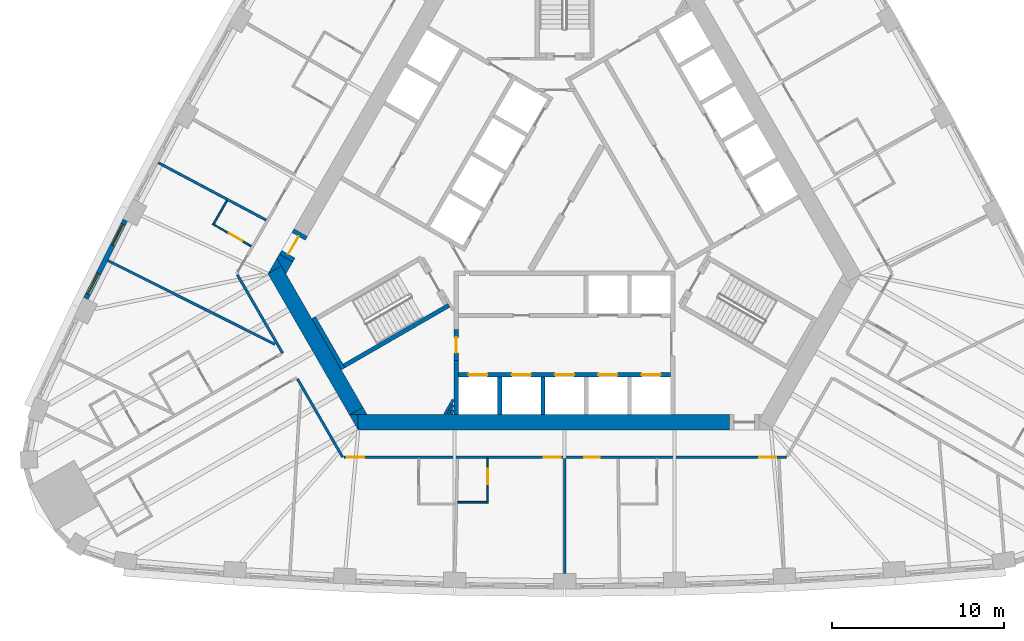
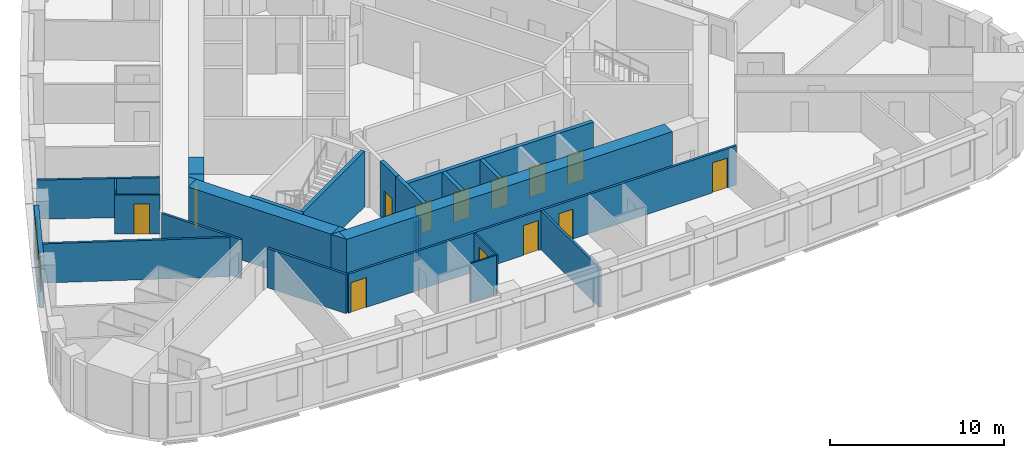
# One storey, part 4 of 12: 28 walls, 13 doors, 2 windows, 15 openings.
"""IFC4 building model written with IfcOpenShell, lengths in metres."""

from ifc_helpers import new_model, si_unit, direction, frame, frame_2d, origin, place, context, subcontext, project, spatial, polyline, rectangle, outline, extrude, material, layer, layer_set, type_object, element, fill, save


model = new_model("IFC4")

# Units and contexts
model_context = context("Model", 3, precision=1e-05, world=origin(), true_north=direction((0.0, 1.0)))
body_context = subcontext(model_context, "Body", "Model", "MODEL_VIEW")
ifc_project = project(units=[si_unit("LENGTHUNIT", "METRE"), si_unit("AREAUNIT", "SQUARE_METRE"), si_unit("VOLUMEUNIT", "CUBIC_METRE"), si_unit("PLANEANGLEUNIT", "RADIAN"), si_unit("MASSUNIT", "GRAM", prefix="KILO")], contexts=[model_context])

# Site, building, storey
site_placement = place(None, origin())
site = spatial("IfcSite", under=ifc_project, at=site_placement, CompositionType="ELEMENT")
building_placement = place(site_placement, origin())
building = spatial("IfcBuilding", under=site, at=building_placement, Name="Mestral Congress Tower", CompositionType="ELEMENT")
storey_placement = place(building_placement, frame((0.0, 0.0, 111.0)))
storey = spatial("IfcBuildingStorey", under=building, at=storey_placement, Name="L26", CompositionType="ELEMENT", Elevation=111.0)

# Walls
ifc_material_1 = material(Name="Fire-rated board partition")
ifc_layer_1 = layer(ifc_material_1, 0.14990234375)
ifc_layer_set_1 = layer_set([ifc_layer_1], Name="Fire-rated board partition")
wall_type_1 = type_object("IfcWallType", Name="Core partition 150", PredefinedType="PARTITIONING", material=ifc_layer_set_1)
wall_1_placement = place(storey_placement, frame((-6.967529296875, -12.068115234375, 0.0), z_axis=(0.0, 0.0, 1.0), x_axis=(0.49998975084, 0.866031321059, 0.0)))
element("IfcWall", 1, at=wall_1_placement, inside=storey, type_object=wall_type_1, Name="L26 core wall", PredefinedType="PARTITIONING", context=body_context, shape_type="SweptSolid", body=[
    extrude(rectangle(XDim=0.97509765625, YDim=0.14990234375, at=frame_2d((0.487548828125, 0.0))), origin(), (0.0, 0.0, 1.0), 2.75),
])
wall_2_placement = place(storey_placement, frame((-6.794189453125, -12.068115234375, 0.0), z_axis=(0.0, 0.0, 1.0), x_axis=(0.49985693963, 0.866107983974, 0.0)))
element("IfcWall", 2, at=wall_2_placement, inside=storey, type_object=wall_type_1, Name="L26 core wall", PredefinedType="PARTITIONING", context=body_context, shape_type="SweptSolid", body=[
    extrude(rectangle(XDim=0.628662109375, YDim=0.14990234375, at=frame_2d((0.314453125, 0.0))), origin(), (0.0, 0.0, 1.0), 2.75),
])
wall_3_placement = place(storey_placement, frame((-6.62109375, -12.068115234375, 0.0), z_axis=(0.0, 0.0, 1.0), x_axis=(0.500046963369, 0.865998287773, 0.0)))
element("IfcWall", 3, at=wall_3_placement, inside=storey, type_object=wall_type_1, Name="L26 core wall", PredefinedType="PARTITIONING", context=body_context, shape_type="SweptSolid", body=[
    extrude(rectangle(XDim=0.2822265625, YDim=0.14990234375, at=frame_2d((0.14111328125, 0.0))), origin(), (0.0, 0.0, 1.0), 2.75),
])
ifc_material_2 = material(Name="Concrete C60/75", Category="concrete")
ifc_layer_2 = layer(ifc_material_2, 0.89990234375)
ifc_layer_set_2 = layer_set([ifc_layer_2], Name="Concrete C60/75")
wall_type_2 = type_object("IfcWallType", Name="Core wall RC 900", PredefinedType="SOLIDWALL", material=ifc_layer_set_2)
wall_4_placement = place(storey_placement, frame((-12.0185546875, -12.550048828125, 0.0), z_axis=(0.0, 0.0, 1.0), x_axis=(1.0, 0.0, 0.0)))
element("IfcWall", 4, at=wall_4_placement, inside=storey, type_object=wall_type_2, Name="L26 core wall", PredefinedType="SOLIDWALL", context=body_context, shape_type="SweptSolid", body=[
    extrude(rectangle(XDim=21.63037109375, YDim=0.89990234375, at=frame_2d((10.815185546875, 0.0))), origin(), (0.0, 0.0, 1.0), 3.89990234375),
])
placement = place(storey_placement, origin())
element("IfcWall", 5, at=placement, inside=storey, type_object=wall_type_2, Name="L26 core wall", PredefinedType="SOLIDWALL", context=body_context, shape_type="SweptSolid", body=[
    extrude(outline(polyline([(-12.528564453125, -12.10009765625), (-12.0205078125, -12.10009765625), (-12.0205078125, -12.97998046875), (-12.528564453125, -12.10009765625)])), origin(), (0.0, 0.0, 1.0), 3.89990234375),
])
wall_6_placement = place(storey_placement, frame((-12.134033203125, -11.88330078125, 0.0), z_axis=(0.0, 0.0, 1.0), x_axis=(-0.500005339912, 0.866022320763, 0.0)))
element("IfcWall", 6, at=wall_6_placement, inside=storey, type_object=wall_type_2, Name="L26 core wall", PredefinedType="SOLIDWALL", context=body_context, shape_type="SweptSolid", body=[
    extrude(rectangle(XDim=9.48779296875, YDim=0.89990234375, at=frame_2d((4.743896484375, 0.0))), origin(), (0.0, 0.0, 1.0), 3.89990234375),
])
element("IfcWall", 7, at=placement, inside=storey, type_object=wall_type_2, Name="L26 core wall", PredefinedType="SOLIDWALL", context=body_context, shape_type="SweptSolid", body=[
    extrude(outline(polyline([(-16.4892578125, -3.43994140625), (-17.251220703125, -3.8798828125), (-16.7431640625, -3.0), (-16.4892578125, -3.43994140625)])), origin(), (0.0, 0.0, 1.0), 3.89990234375),
])
element("IfcWall", 8, at=placement, inside=storey, type_object=wall_type_2, Name="L26 core wall", PredefinedType="SOLIDWALL", context=body_context, shape_type="SweptSolid", body=[
    extrude(outline(polyline([(-11.4892578125, -12.10009765625), (-12.50537109375, -12.10009765625), (-11.743408203125, -11.66015625), (-11.4892578125, -12.10009765625)])), origin(), (0.0, 0.0, 1.0), 3.89990234375),
])
element("IfcWall", 9, at=placement, inside=storey, type_object=wall_type_2, Name="L26 core wall", PredefinedType="SOLIDWALL", context=body_context, shape_type="SweptSolid", body=[
    extrude(outline(polyline([(-15.81982421875, -3.20068359375), (-16.223388671875, -3.89990234375), (-16.7431640625, -3.0), (-16.599365234375, -2.750732421875), (-15.81982421875, -3.20068359375)])), origin(), (0.0, 0.0, 1.0), 3.89990234375),
])

# Wall, opening, door
wall_10_placement = place(storey_placement, frame((-16.20947265625, -2.9755859375, 0.0), z_axis=(0.0, 0.0, 1.0), x_axis=(0.499954529098, 0.86605165483, 0.0)))
wall_10 = element("IfcWall", 10, at=wall_10_placement, inside=storey, type_object=wall_type_2, Name="L26 door wall", PredefinedType="SOLIDWALL", context=body_context, shape_type="SweptSolid", body=[
    extrude(rectangle(XDim=1.699951171875, YDim=0.89990234375, at=frame_2d((0.85009765625, 0.0))), origin(), (0.0, 0.0, 1.0), 3.89990234375),
])
opening_1_placement = place(wall_10_placement, frame((0.25, 0.0, 0.0)))
opening_1 = element("IfcOpeningElement", 11, at=opening_1_placement, cuts=wall_10, Name="Opening XD3", PredefinedType="OPENING", context=body_context, shape_type="SweptSolid", body=[
    extrude(rectangle(XDim=1.199951171875, YDim=2.10009765625, at=frame_2d((0.60009765625, 1.050048828125))), frame((0.0, 0.4599609375, 0.0), z_axis=(0.0, -1.0, 0.0), x_axis=(1.0, 0.0, 0.0)), (0.0, 0.0, 1.0), 0.919921875),
])
ifc_material_3 = material(Name="Fire-rated steel door set", Category="steel")
door_type_1 = type_object("IfcDoorType", Name="Core door XD 1200x2100", OperationType="SINGLE_SWING_LEFT", PredefinedType="DOOR", material=ifc_material_3)
door_1_placement = place(opening_1_placement, origin())
door_1 = element("IfcDoor", 12, at=door_1_placement, inside=storey, type_object=door_type_1, Name="Door XD3", OperationType="SINGLE_SWING_LEFT", OverallHeight=2.10009765625, OverallWidth=1.199951171875, PredefinedType="DOOR", context=body_context, shape_type="SweptSolid", body=[
    extrude(rectangle(XDim=1.199951171875, YDim=2.10009765625, at=frame_2d((0.60009765625, 1.050048828125))), frame((0.0, 0.02490234375, 0.0), z_axis=(0.0, -1.0, 0.0), x_axis=(1.0, 0.0, 0.0)), (0.0, 0.0, 1.0), 0.050048828125),
])
fill(opening_1, door_1)

# Wall, openings, windows
ifc_material_4 = material(Name="Precast concrete C40/50 with limestone facing", Category="masonry")
ifc_layer_3 = layer(ifc_material_4, 0.2900390625)
ifc_layer_set_3 = layer_set([ifc_layer_3], Name="Precast concrete C40/50 with limestone facing")
wall_type_3 = type_object("IfcWallType", Name="Facade stone wall 290", PredefinedType="SOLIDWALL", material=ifc_layer_set_3)
wall_11_placement = place(storey_placement, frame((-25.576416015625, -0.77783203125, 0.0), z_axis=(0.0, 0.0, 1.0), x_axis=(-0.448534297211, -0.893765620409, 0.0)))
wall_11 = element("IfcWall", 13, at=wall_11_placement, inside=storey, type_object=wall_type_3, Name="Facade wall F2-06", PredefinedType="SOLIDWALL", context=body_context, shape_type="SweptSolid", body=[
    extrude(rectangle(XDim=5.10009765625, YDim=0.2900390625, at=frame_2d((2.550048828125, 0.0))), origin(), (0.0, 0.0, 1.0), 3.64990234375),
])
opening_2_placement = place(wall_11_placement, frame((0.2724609375, 0.0, 0.89990234375)))
opening_2 = element("IfcOpeningElement", 14, at=opening_2_placement, cuts=wall_11, Name="Opening W2", PredefinedType="OPENING", context=body_context, shape_type="SweptSolid", body=[
    extrude(rectangle(XDim=1.35009765625, YDim=2.14990234375, at=frame_2d((0.675048828125, 1.074951171875))), frame((0.0, 0.155029296875, 0.0), z_axis=(0.0, -1.0, 0.0), x_axis=(1.0, 0.0, 0.0)), (0.0, 0.0, 1.0), 0.31005859375),
])
opening_3_placement = place(wall_11_placement, frame((3.477783203125, 0.0, 0.89990234375)))
opening_3 = element("IfcOpeningElement", 15, at=opening_3_placement, cuts=wall_11, Name="Opening W2", PredefinedType="OPENING", context=body_context, shape_type="SweptSolid", body=[
    extrude(rectangle(XDim=1.35009765625, YDim=2.14990234375, at=frame_2d((0.675048828125, 1.074951171875))), frame((0.0, 0.155029296875, 0.0), z_axis=(0.0, -1.0, 0.0), x_axis=(1.0, 0.0, 0.0)), (0.0, 0.0, 1.0), 0.31005859375),
])
ifc_material_5 = material(Name="Clear low-emissivity double glazing", Category="glass")
window_type = type_object("IfcWindowType", Name="Facade punched window 1350 x 2150 sill 900", PartitioningType="DOUBLE_PANEL_VERTICAL", PredefinedType="WINDOW", material=ifc_material_5)
window_1_placement = place(opening_2_placement, origin())
window_1 = element("IfcWindow", 16, at=window_1_placement, inside=storey, type_object=window_type, Name="Window F2-06a", OverallHeight=2.14990234375, OverallWidth=1.35009765625, PartitioningType="DOUBLE_PANEL_VERTICAL", PredefinedType="WINDOW", context=body_context, shape_type="SweptSolid", body=[
    extrude(rectangle(XDim=1.35009765625, YDim=2.14990234375, at=frame_2d((0.675048828125, 1.074951171875))), frame((0.0, 0.01513671875, 0.0), z_axis=(0.0, -1.0, 0.0), x_axis=(1.0, 0.0, 0.0)), (0.0, 0.0, 1.0), 0.06005859375),
])
fill(opening_2, window_1)
window_2_placement = place(opening_3_placement, origin())
window_2 = element("IfcWindow", 17, at=window_2_placement, inside=storey, type_object=window_type, Name="Window F2-06b", OverallHeight=2.14990234375, OverallWidth=1.35009765625, PartitioningType="DOUBLE_PANEL_VERTICAL", PredefinedType="WINDOW", context=body_context, shape_type="SweptSolid", body=[
    extrude(rectangle(XDim=1.35009765625, YDim=2.14990234375, at=frame_2d((0.675048828125, 1.074951171875))), frame((0.0, 0.01513671875, 0.0), z_axis=(0.0, -1.0, 0.0), x_axis=(1.0, 0.0, 0.0)), (0.0, 0.0, 1.0), 0.06005859375),
])
fill(opening_3, window_2)

# Wall, opening, door
ifc_material_6 = material(Name="Gypsum board partition on metal studs with mineral wool", Category="composite")
ifc_layer_4 = layer(ifc_material_6, 0.10009765625)
ifc_layer_set_4 = layer_set([ifc_layer_4], Name="Gypsum board partition on metal studs with mineral wool")
wall_type_4 = type_object("IfcWallType", Name="Hotel partition wall 100", PredefinedType="PARTITIONING", material=ifc_layer_set_4)
wall_12_placement = place(storey_placement, frame((-4.480224609375, -17.25, 0.0), z_axis=(0.0, 0.0, 1.0), x_axis=(0.0, 1.0, 0.0)))
wall_12 = element("IfcWall", 18, at=wall_12_placement, inside=storey, type_object=wall_type_4, Name="L26-h-pod03a", PredefinedType="PARTITIONING", context=body_context, shape_type="SweptSolid", body=[
    extrude(rectangle(XDim=2.60009765625, YDim=0.10009765625, at=frame_2d((1.300048828125, 0.0))), origin(), (0.0, 0.0, 1.0), 2.75),
])
opening_4_placement = place(wall_12_placement, frame((1.10009765625, 0.0, 0.0)))
opening_4 = element("IfcOpeningElement", 19, at=opening_4_placement, cuts=wall_12, Name="Opening H08-006", PredefinedType="OPENING", context=body_context, shape_type="SweptSolid", body=[
    extrude(rectangle(XDim=0.89990234375, YDim=2.10009765625, at=frame_2d((0.449951171875, 1.050048828125))), frame((0.0, 0.06005859375, 0.0), z_axis=(0.0, -1.0, 0.0), x_axis=(1.0, 0.0, 0.0)), (0.0, 0.0, 1.0), 0.1201171875),
])
ifc_material_7 = material(Name="Timber veneer door leaf in timber frame", Category="wood")
door_type_2 = type_object("IfcDoorType", Name="Bathroom door 900", OperationType="SINGLE_SWING_LEFT", PredefinedType="DOOR", material=ifc_material_7)
door_2_placement = place(opening_4_placement, origin())
door_2 = element("IfcDoor", 20, at=door_2_placement, inside=storey, type_object=door_type_2, Name="L26-h-d006", OperationType="SINGLE_SWING_RIGHT", OverallHeight=2.10009765625, OverallWidth=0.89990234375, PredefinedType="DOOR", context=body_context, shape_type="SweptSolid", body=[
    extrude(rectangle(XDim=0.89990234375, YDim=2.10009765625, at=frame_2d((0.449951171875, 1.050048828125))), frame((0.0, 0.02490234375, 0.0), z_axis=(0.0, -1.0, 0.0), x_axis=(1.0, 0.0, 0.0)), (0.0, 0.0, 1.0), 0.050048828125),
])
fill(opening_4, door_2)

# Wall
wall_13_placement = place(storey_placement, frame((-4.5302734375, -17.199951171875, 0.0), z_axis=(0.0, 0.0, 1.0), x_axis=(-1.0, 0.0, 0.0)))
element("IfcWall", 21, at=wall_13_placement, inside=storey, type_object=wall_type_4, Name="L26-h-pod03b", PredefinedType="PARTITIONING", context=body_context, shape_type="SweptSolid", body=[
    extrude(rectangle(XDim=1.679931640625, YDim=0.10009765625, at=frame_2d((0.83984375, 0.0))), origin(), (0.0, 0.0, 1.0), 2.75),
])

# Wall, opening, door
wall_14_placement = place(storey_placement, frame((-20.492431640625, -0.994140625, 0.0), z_axis=(0.0, 0.0, 1.0), x_axis=(0.865997922154, -0.500047596559, 0.0)))
wall_14 = element("IfcWall", 22, at=wall_14_placement, inside=storey, type_object=wall_type_4, Name="L26-h-pod23a", PredefinedType="PARTITIONING", context=body_context, shape_type="SweptSolid", body=[
    extrude(rectangle(XDim=2.599853515625, YDim=0.10009765625, at=frame_2d((1.2998046875, 0.0))), origin(), (0.0, 0.0, 1.0), 2.75),
])
opening_5_placement = place(wall_14_placement, frame((1.10009765625, 0.0, 0.0)))
opening_5 = element("IfcOpeningElement", 23, at=opening_5_placement, cuts=wall_14, Name="Opening H08-041", PredefinedType="OPENING", context=body_context, shape_type="SweptSolid", body=[
    extrude(rectangle(XDim=0.89990234375, YDim=2.10009765625, at=frame_2d((0.449951171875, 1.050048828125))), frame((0.0, 0.06005859375, 0.0), z_axis=(0.0, -1.0, 0.0), x_axis=(1.0, 0.0, 0.0)), (0.0, 0.0, 1.0), 0.1201171875),
])
door_3_placement = place(opening_5_placement, origin())
door_3 = element("IfcDoor", 24, at=door_3_placement, inside=storey, type_object=door_type_2, Name="L26-h-d041", OperationType="SINGLE_SWING_LEFT", OverallHeight=2.10009765625, OverallWidth=0.89990234375, PredefinedType="DOOR", context=body_context, shape_type="SweptSolid", body=[
    extrude(rectangle(XDim=0.89990234375, YDim=2.10009765625, at=frame_2d((0.449951171875, 1.050048828125))), frame((0.0, 0.02490234375, 0.0), z_axis=(0.0, -1.0, 0.0), x_axis=(1.0, 0.0, 0.0)), (0.0, 0.0, 1.0), 0.050048828125),
])
fill(opening_5, door_3)

# Walls
wall_15_placement = place(storey_placement, frame((-20.42431640625, -0.975830078125, 0.0), z_axis=(0.0, 0.0, 1.0), x_axis=(0.500086174919, 0.865975644955, 0.0)))
element("IfcWall", 25, at=wall_15_placement, inside=storey, type_object=wall_type_4, Name="L26-h-pod23b", PredefinedType="PARTITIONING", context=body_context, shape_type="SweptSolid", body=[
    extrude(rectangle(XDim=1.530029296875, YDim=0.10009765625, at=frame_2d((0.76513671875, 0.0))), origin(), (0.0, 0.0, 1.0), 2.75),
])
ifc_layer_5 = layer(ifc_material_6, 0.14990234375)
ifc_layer_set_5 = layer_set([ifc_layer_5], Name="Gypsum board partition on metal studs with mineral wool")
wall_type_5 = type_object("IfcWallType", Name="Hotel partition wall 150", PredefinedType="PARTITIONING", material=ifc_layer_set_5)
wall_16_placement = place(storey_placement, frame((-16.412353515625, -8.52294921875, 0.0), z_axis=(0.0, 0.0, 1.0), x_axis=(-0.500001929737, 0.866024289647, 0.0)))
element("IfcWall", 26, at=wall_16_placement, inside=storey, type_object=wall_type_5, Name="L26-h-cw09", PredefinedType="PARTITIONING", context=body_context, shape_type="SweptSolid", body=[
    extrude(rectangle(XDim=5.26806640625, YDim=0.14990234375, at=frame_2d((2.634033203125, 0.0))), origin(), (0.0, 0.0, 1.0), 2.75),
])
wall_17_placement = place(storey_placement, frame((-12.918212890625, -14.574951171875, 0.0), z_axis=(0.0, 0.0, 1.0), x_axis=(-0.500009150678, 0.866020120573, 0.0)))
element("IfcWall", 27, at=wall_17_placement, inside=storey, type_object=wall_type_5, Name="L26-h-cw12", PredefinedType="PARTITIONING", context=body_context, shape_type="SweptSolid", body=[
    extrude(rectangle(XDim=5.25830078125, YDim=0.14990234375, at=frame_2d((2.629150390625, 0.0))), origin(), (0.0, 0.0, 1.0), 2.75),
])

# Wall, openings, doors
wall_18_placement = place(storey_placement, frame((12.918212890625, -14.574951171875, 0.0), z_axis=(0.0, 0.0, 1.0), x_axis=(-1.0, 0.0, 0.0)))
wall_18 = element("IfcWall", 28, at=wall_18_placement, inside=storey, type_object=wall_type_5, Name="L26-h-cw13", PredefinedType="PARTITIONING", context=body_context, shape_type="SweptSolid", body=[
    extrude(rectangle(XDim=25.766357421875, YDim=0.14990234375, at=frame_2d((12.88330078125, 0.0))), origin(), (0.0, 0.0, 1.0), 2.75),
])
opening_6_placement = place(wall_18_placement, frame((24.58642578125, 0.0, 0.0)))
opening_6 = element("IfcOpeningElement", 29, at=opening_6_placement, cuts=wall_18, Name="Opening H08-003", PredefinedType="OPENING", context=body_context, shape_type="SweptSolid", body=[
    extrude(rectangle(XDim=1.0, YDim=2.10009765625, at=frame_2d((0.5, 1.050048828125))), frame((0.0, 0.0849609375, 0.0), z_axis=(0.0, -1.0, 0.0), x_axis=(1.0, 0.0, 0.0)), (0.0, 0.0, 1.0), 0.169921875),
])
opening_7_placement = place(wall_18_placement, frame((13.144287109375, 0.0, 0.0)))
opening_7 = element("IfcOpeningElement", 30, at=opening_7_placement, cuts=wall_18, Name="Opening H08-005", PredefinedType="OPENING", context=body_context, shape_type="SweptSolid", body=[
    extrude(rectangle(XDim=1.0, YDim=2.10009765625, at=frame_2d((0.5, 1.050048828125))), frame((0.0, 0.0849609375, 0.0), z_axis=(0.0, -1.0, 0.0), x_axis=(1.0, 0.0, 0.0)), (0.0, 0.0, 1.0), 0.169921875),
])
opening_8_placement = place(wall_18_placement, frame((10.8740234375, 0.0, 0.0)))
opening_8 = element("IfcOpeningElement", 31, at=opening_8_placement, cuts=wall_18, Name="Opening H08-007", PredefinedType="OPENING", context=body_context, shape_type="SweptSolid", body=[
    extrude(rectangle(XDim=0.89990234375, YDim=2.10009765625, at=frame_2d((0.449951171875, 1.050048828125))), frame((0.0, 0.0849609375, 0.0), z_axis=(0.0, -1.0, 0.0), x_axis=(1.0, 0.0, 0.0)), (0.0, 0.0, 1.0), 0.169921875),
])
opening_9_placement = place(wall_18_placement, frame((0.595947265625, 0.0, 0.0)))
opening_9 = element("IfcOpeningElement", 32, at=opening_9_placement, cuts=wall_18, Name="Opening H08-008", PredefinedType="OPENING", context=body_context, shape_type="SweptSolid", body=[
    extrude(rectangle(XDim=1.0, YDim=2.10009765625, at=frame_2d((0.5, 1.050048828125))), frame((0.0, 0.0849609375, 0.0), z_axis=(0.0, -1.0, 0.0), x_axis=(1.0, 0.0, 0.0)), (0.0, 0.0, 1.0), 0.169921875),
])
ifc_material_8 = material(Name="Timber veneer door leaf in metal frame", Category="wood")
door_type_3 = type_object("IfcDoorType", Name="Guest room entrance door 1000", OperationType="SINGLE_SWING_LEFT", PredefinedType="DOOR", material=ifc_material_8)
door_4_placement = place(opening_6_placement, origin())
door_4 = element("IfcDoor", 33, at=door_4_placement, inside=storey, type_object=door_type_3, Name="L26-h-d003", OperationType="SINGLE_SWING_RIGHT", OverallHeight=2.10009765625, OverallWidth=1.0, PredefinedType="DOOR", context=body_context, shape_type="SweptSolid", body=[
    extrude(rectangle(XDim=1.0, YDim=2.10009765625, at=frame_2d((0.5, 1.050048828125))), frame((0.0, 0.02490234375, 0.0), z_axis=(0.0, -1.0, 0.0), x_axis=(1.0, 0.0, 0.0)), (0.0, 0.0, 1.0), 0.050048828125),
])
fill(opening_6, door_4)
door_5_placement = place(opening_7_placement, origin())
door_5 = element("IfcDoor", 34, at=door_5_placement, inside=storey, type_object=door_type_3, Name="L26-h-d005", OperationType="SINGLE_SWING_LEFT", OverallHeight=2.10009765625, OverallWidth=1.0, PredefinedType="DOOR", context=body_context, shape_type="SweptSolid", body=[
    extrude(rectangle(XDim=1.0, YDim=2.10009765625, at=frame_2d((0.5, 1.050048828125))), frame((0.0, 0.02490234375, 0.0), z_axis=(0.0, -1.0, 0.0), x_axis=(1.0, 0.0, 0.0)), (0.0, 0.0, 1.0), 0.050048828125),
])
fill(opening_7, door_5)
door_6_placement = place(opening_9_placement, origin())
door_6 = element("IfcDoor", 35, at=door_6_placement, inside=storey, type_object=door_type_3, Name="L26-h-d008", OperationType="SINGLE_SWING_LEFT", OverallHeight=2.10009765625, OverallWidth=1.0, PredefinedType="DOOR", context=body_context, shape_type="SweptSolid", body=[
    extrude(rectangle(XDim=1.0, YDim=2.10009765625, at=frame_2d((0.5, 1.050048828125))), frame((0.0, 0.02490234375, 0.0), z_axis=(0.0, -1.0, 0.0), x_axis=(1.0, 0.0, 0.0)), (0.0, 0.0, 1.0), 0.050048828125),
])
fill(opening_9, door_6)
door_type_4 = type_object("IfcDoorType", Name="Service room door 900", OperationType="SINGLE_SWING_LEFT", PredefinedType="DOOR", material=ifc_material_8)
door_7_placement = place(opening_8_placement, origin())
door_7 = element("IfcDoor", 36, at=door_7_placement, inside=storey, type_object=door_type_4, Name="L26-h-d007", OperationType="SINGLE_SWING_RIGHT", OverallHeight=2.10009765625, OverallWidth=0.89990234375, PredefinedType="DOOR", context=body_context, shape_type="SweptSolid", body=[
    extrude(rectangle(XDim=0.89990234375, YDim=2.10009765625, at=frame_2d((0.449951171875, 1.050048828125))), frame((0.0, 0.02490234375, 0.0), z_axis=(0.0, -1.0, 0.0), x_axis=(1.0, 0.0, 0.0)), (0.0, 0.0, 1.0), 0.050048828125),
])
fill(opening_8, door_7)

# Walls
wall_19_placement = place(storey_placement, frame((-23.65185546875, 2.56689453125, 0.0), z_axis=(0.0, 0.0, 1.0), x_axis=(0.883019237957, -0.469336793144, 0.0)))
element("IfcWall", 37, at=wall_19_placement, inside=storey, type_object=wall_type_5, Name="L26-h-pw03", PredefinedType="PARTITIONING", context=body_context, shape_type="SweptSolid", body=[
    extrude(rectangle(XDim=7.11083984375, YDim=0.14990234375, at=frame_2d((3.555419921875, 0.0))), origin(), (0.0, 0.0, 1.0), 2.75),
])
wall_20_placement = place(storey_placement, frame((-26.590576171875, -3.1220703125, 0.0), z_axis=(0.0, 0.0, 1.0), x_axis=(0.893766213273, -0.448533115847, 0.0)))
element("IfcWall", 38, at=wall_20_placement, inside=storey, type_object=wall_type_5, Name="L26-h-pw04", PredefinedType="PARTITIONING", context=body_context, shape_type="SweptSolid", body=[
    extrude(rectangle(XDim=10.875244140625, YDim=0.14990234375, at=frame_2d((5.4375, 0.0))), origin(), (0.0, 0.0, 1.0), 2.75),
])
wall_21_placement = place(storey_placement, frame((0.0, -21.343505859375, 0.0), z_axis=(0.0, 0.0, 1.0), x_axis=(0.0, 1.0, 0.0)))
element("IfcWall", 39, at=wall_21_placement, inside=storey, type_object=wall_type_5, Name="L26-h-pw13", PredefinedType="PARTITIONING", context=body_context, shape_type="SweptSolid", body=[
    extrude(rectangle(XDim=6.693603515625, YDim=0.14990234375, at=frame_2d((3.3466796875, 0.0))), origin(), (0.0, 0.0, 1.0), 2.75),
])
ifc_layer_6 = layer(ifc_material_2, 0.25)
ifc_layer_set_6 = layer_set([ifc_layer_6], Name="Concrete C60/75")
wall_type_6 = type_object("IfcWallType", Name="Shaft wall RC 250", PredefinedType="SOLIDWALL", material=ifc_layer_set_6)
wall_22_placement = place(storey_placement, frame((-3.780029296875, -12.10009765625, 0.0), z_axis=(0.0, 0.0, 1.0), x_axis=(0.0, 1.0, 0.0)))
element("IfcWall", 40, at=wall_22_placement, inside=storey, type_object=wall_type_6, Name="L26 core wall", PredefinedType="SOLIDWALL", context=body_context, shape_type="SweptSolid", body=[
    extrude(rectangle(XDim=2.199951171875, YDim=0.25, at=frame_2d((1.10009765625, 0.0))), origin(), (0.0, 0.0, 1.0), 3.89990234375),
])
wall_23_placement = place(storey_placement, frame((-6.300048828125, -12.10009765625, 0.0), z_axis=(0.0, 0.0, 1.0), x_axis=(0.0, 1.0, 0.0)))
element("IfcWall", 41, at=wall_23_placement, inside=storey, type_object=wall_type_6, Name="L26 core wall", PredefinedType="SOLIDWALL", context=body_context, shape_type="SweptSolid", body=[
    extrude(rectangle(XDim=3.1455078125, YDim=0.25, at=frame_2d((1.57275390625, 0.0))), origin(), (0.0, 0.0, 1.0), 3.89990234375),
])
wall_24_placement = place(storey_placement, frame((-1.260009765625, -12.10009765625, 0.0), z_axis=(0.0, 0.0, 1.0), x_axis=(0.0, 1.0, 0.0)))
element("IfcWall", 42, at=wall_24_placement, inside=storey, type_object=wall_type_6, Name="L26 core wall", PredefinedType="SOLIDWALL", context=body_context, shape_type="SweptSolid", body=[
    extrude(rectangle(XDim=2.199951171875, YDim=0.25, at=frame_2d((1.10009765625, 0.0))), origin(), (0.0, 0.0, 1.0), 3.89990234375),
])

# Wall, openings, doors
wall_25_placement = place(storey_placement, frame((-6.175048828125, -9.77490234375, 0.0), z_axis=(0.0, 0.0, 1.0), x_axis=(1.0, 0.0, 0.0)))
wall_25 = element("IfcWall", 43, at=wall_25_placement, inside=storey, type_object=wall_type_6, Name="L26 door wall", PredefinedType="SOLIDWALL", context=body_context, shape_type="SweptSolid", body=[
    extrude(rectangle(XDim=12.35009765625, YDim=0.25, at=frame_2d((6.175048828125, 0.0))), origin(), (0.0, 0.0, 1.0), 3.89990234375),
])
opening_10_placement = place(wall_25_placement, frame((0.5849609375, 0.0, 0.0)))
opening_10 = element("IfcOpeningElement", 44, at=opening_10_placement, cuts=wall_25, Name="Opening LD-SOA1", PredefinedType="OPENING", context=body_context, shape_type="SweptSolid", body=[
    extrude(rectangle(XDim=1.10009765625, YDim=2.10009765625, at=frame_2d((0.550048828125, 1.050048828125))), frame((0.0, 0.135009765625, 0.0), z_axis=(0.0, -1.0, 0.0), x_axis=(1.0, 0.0, 0.0)), (0.0, 0.0, 1.0), 0.27001953125),
])
opening_11_placement = place(wall_25_placement, frame((3.10498046875, 0.0, 0.0)))
opening_11 = element("IfcOpeningElement", 45, at=opening_11_placement, cuts=wall_25, Name="Opening LD-SOA2", PredefinedType="OPENING", context=body_context, shape_type="SweptSolid", body=[
    extrude(rectangle(XDim=1.10009765625, YDim=2.10009765625, at=frame_2d((0.550048828125, 1.050048828125))), frame((0.0, 0.135009765625, 0.0), z_axis=(0.0, -1.0, 0.0), x_axis=(1.0, 0.0, 0.0)), (0.0, 0.0, 1.0), 0.27001953125),
])
opening_12_placement = place(wall_25_placement, frame((5.625, 0.0, 0.0)))
opening_12 = element("IfcOpeningElement", 46, at=opening_12_placement, cuts=wall_25, Name="Opening LD-SOA3", PredefinedType="OPENING", context=body_context, shape_type="SweptSolid", body=[
    extrude(rectangle(XDim=1.10009765625, YDim=2.10009765625, at=frame_2d((0.550048828125, 1.050048828125))), frame((0.0, 0.135009765625, 0.0), z_axis=(0.0, -1.0, 0.0), x_axis=(1.0, 0.0, 0.0)), (0.0, 0.0, 1.0), 0.27001953125),
])
opening_13_placement = place(wall_25_placement, frame((8.14501953125, 0.0, 0.0)))
opening_13 = element("IfcOpeningElement", 47, at=opening_13_placement, cuts=wall_25, Name="Opening LD-SOA4", PredefinedType="OPENING", context=body_context, shape_type="SweptSolid", body=[
    extrude(rectangle(XDim=1.10009765625, YDim=2.10009765625, at=frame_2d((0.550048828125, 1.050048828125))), frame((0.0, 0.135009765625, 0.0), z_axis=(0.0, -1.0, 0.0), x_axis=(1.0, 0.0, 0.0)), (0.0, 0.0, 1.0), 0.27001953125),
])
opening_14_placement = place(wall_25_placement, frame((10.6650390625, 0.0, 0.0)))
opening_14 = element("IfcOpeningElement", 48, at=opening_14_placement, cuts=wall_25, Name="Opening LD-SOA5", PredefinedType="OPENING", context=body_context, shape_type="SweptSolid", body=[
    extrude(rectangle(XDim=1.10009765625, YDim=2.10009765625, at=frame_2d((0.550048828125, 1.050048828125))), frame((0.0, 0.135009765625, 0.0), z_axis=(0.0, -1.0, 0.0), x_axis=(1.0, 0.0, 0.0)), (0.0, 0.0, 1.0), 0.27001953125),
])
door_type_5 = type_object("IfcDoorType", Name="Core door LD 1100x2100", OperationType="DOUBLE_DOOR_SLIDING", PredefinedType="DOOR", material=ifc_material_3)
door_8_placement = place(opening_10_placement, origin())
door_8 = element("IfcDoor", 49, at=door_8_placement, inside=storey, type_object=door_type_5, Name="Door LD-SOA1", OperationType="DOUBLE_DOOR_SLIDING", OverallHeight=2.10009765625, OverallWidth=1.10009765625, PredefinedType="DOOR", context=body_context, shape_type="SweptSolid", body=[
    extrude(rectangle(XDim=1.10009765625, YDim=2.10009765625, at=frame_2d((0.550048828125, 1.050048828125))), frame((0.0, 0.02490234375, 0.0), z_axis=(0.0, -1.0, 0.0), x_axis=(1.0, 0.0, 0.0)), (0.0, 0.0, 1.0), 0.050048828125),
])
fill(opening_10, door_8)
door_9_placement = place(opening_11_placement, origin())
door_9 = element("IfcDoor", 50, at=door_9_placement, inside=storey, type_object=door_type_5, Name="Door LD-SOA2", OperationType="DOUBLE_DOOR_SLIDING", OverallHeight=2.10009765625, OverallWidth=1.10009765625, PredefinedType="DOOR", context=body_context, shape_type="SweptSolid", body=[
    extrude(rectangle(XDim=1.10009765625, YDim=2.10009765625, at=frame_2d((0.550048828125, 1.050048828125))), frame((0.0, 0.02490234375, 0.0), z_axis=(0.0, -1.0, 0.0), x_axis=(1.0, 0.0, 0.0)), (0.0, 0.0, 1.0), 0.050048828125),
])
fill(opening_11, door_9)
door_10_placement = place(opening_12_placement, origin())
door_10 = element("IfcDoor", 51, at=door_10_placement, inside=storey, type_object=door_type_5, Name="Door LD-SOA3", OperationType="DOUBLE_DOOR_SLIDING", OverallHeight=2.10009765625, OverallWidth=1.10009765625, PredefinedType="DOOR", context=body_context, shape_type="SweptSolid", body=[
    extrude(rectangle(XDim=1.10009765625, YDim=2.10009765625, at=frame_2d((0.550048828125, 1.050048828125))), frame((0.0, 0.02490234375, 0.0), z_axis=(0.0, -1.0, 0.0), x_axis=(1.0, 0.0, 0.0)), (0.0, 0.0, 1.0), 0.050048828125),
])
fill(opening_12, door_10)
door_11_placement = place(opening_13_placement, origin())
door_11 = element("IfcDoor", 52, at=door_11_placement, inside=storey, type_object=door_type_5, Name="Door LD-SOA4", OperationType="DOUBLE_DOOR_SLIDING", OverallHeight=2.10009765625, OverallWidth=1.10009765625, PredefinedType="DOOR", context=body_context, shape_type="SweptSolid", body=[
    extrude(rectangle(XDim=1.10009765625, YDim=2.10009765625, at=frame_2d((0.550048828125, 1.050048828125))), frame((0.0, 0.02490234375, 0.0), z_axis=(0.0, -1.0, 0.0), x_axis=(1.0, 0.0, 0.0)), (0.0, 0.0, 1.0), 0.050048828125),
])
fill(opening_13, door_11)
door_12_placement = place(opening_14_placement, origin())
door_12 = element("IfcDoor", 53, at=door_12_placement, inside=storey, type_object=door_type_5, Name="Door LD-SOA5", OperationType="DOUBLE_DOOR_SLIDING", OverallHeight=2.10009765625, OverallWidth=1.10009765625, PredefinedType="DOOR", context=body_context, shape_type="SweptSolid", body=[
    extrude(rectangle(XDim=1.10009765625, YDim=2.10009765625, at=frame_2d((0.550048828125, 1.050048828125))), frame((0.0, 0.02490234375, 0.0), z_axis=(0.0, -1.0, 0.0), x_axis=(1.0, 0.0, 0.0)), (0.0, 0.0, 1.0), 0.050048828125),
])
fill(opening_14, door_12)

# Wall, opening, door
wall_26_placement = place(storey_placement, frame((-6.300048828125, -7.154296875, 0.0), z_axis=(0.0, 0.0, 1.0), x_axis=(0.0, -1.0, 0.0)))
wall_26 = element("IfcWall", 54, at=wall_26_placement, inside=storey, type_object=wall_type_6, Name="L26 door wall", PredefinedType="SOLIDWALL", context=body_context, shape_type="SweptSolid", body=[
    extrude(rectangle(XDim=1.800048828125, YDim=0.25, at=frame_2d((0.89990234375, 0.0))), origin(), (0.0, 0.0, 1.0), 3.89990234375),
])
opening_15_placement = place(wall_26_placement, frame((0.449951171875, 0.0, 0.0)))
opening_15 = element("IfcOpeningElement", 55, at=opening_15_placement, cuts=wall_26, Name="Opening TD3", PredefinedType="OPENING", context=body_context, shape_type="SweptSolid", body=[
    extrude(rectangle(XDim=0.89990234375, YDim=2.10009765625, at=frame_2d((0.449951171875, 1.050048828125))), frame((0.0, 0.135009765625, 0.0), z_axis=(0.0, -1.0, 0.0), x_axis=(1.0, 0.0, 0.0)), (0.0, 0.0, 1.0), 0.27001953125),
])
door_type_6 = type_object("IfcDoorType", Name="Core door SR 900x2100", OperationType="SINGLE_SWING_LEFT", PredefinedType="DOOR", material=ifc_material_3)
door_13_placement = place(opening_15_placement, origin())
door_13 = element("IfcDoor", 56, at=door_13_placement, inside=storey, type_object=door_type_6, Name="Door TD3", OperationType="SINGLE_SWING_LEFT", OverallHeight=2.10009765625, OverallWidth=0.89990234375, PredefinedType="DOOR", context=body_context, shape_type="SweptSolid", body=[
    extrude(rectangle(XDim=0.89990234375, YDim=2.10009765625, at=frame_2d((0.449951171875, 1.050048828125))), frame((0.0, 0.02490234375, 0.0), z_axis=(0.0, -1.0, 0.0), x_axis=(1.0, 0.0, 0.0)), (0.0, 0.0, 1.0), 0.050048828125),
])
fill(opening_15, door_13)

# Walls
ifc_layer_7 = layer(ifc_material_2, 0.25)
ifc_layer_set_7 = layer_set([ifc_layer_7], Name="Concrete C60/75")
wall_type_7 = type_object("IfcWallType", Name="Stair wall RC 250", PredefinedType="SOLIDWALL", material=ifc_layer_set_7)
wall_27_placement = place(storey_placement, frame((-12.885498046875, -9.431396484375, 0.0), z_axis=(0.0, 0.0, 1.0), x_axis=(-0.500020560727, 0.866013532718, 0.0)))
element("IfcWall", 57, at=wall_27_placement, inside=storey, type_object=wall_type_7, Name="L26 core wall", PredefinedType="SOLIDWALL", context=body_context, shape_type="SweptSolid", body=[
    extrude(rectangle(XDim=3.449951171875, YDim=0.25, at=frame_2d((1.72509765625, 0.0))), origin(), (0.0, 0.0, 1.0), 3.89990234375),
])
wall_28_placement = place(storey_placement, frame((-12.83984375, -9.2607421875, 0.0), z_axis=(0.0, 0.0, 1.0), x_axis=(0.866016039709, 0.500016218704, 0.0)))
element("IfcWall", 58, at=wall_28_placement, inside=storey, type_object=wall_type_7, Name="L26 core wall", PredefinedType="SOLIDWALL", context=body_context, shape_type="SweptSolid", body=[
    extrude(rectangle(XDim=7.050048828125, YDim=0.25, at=frame_2d((3.52490234375, 0.0))), origin(), (0.0, 0.0, 1.0), 3.89990234375),
])

save(model, "model.ifc")
